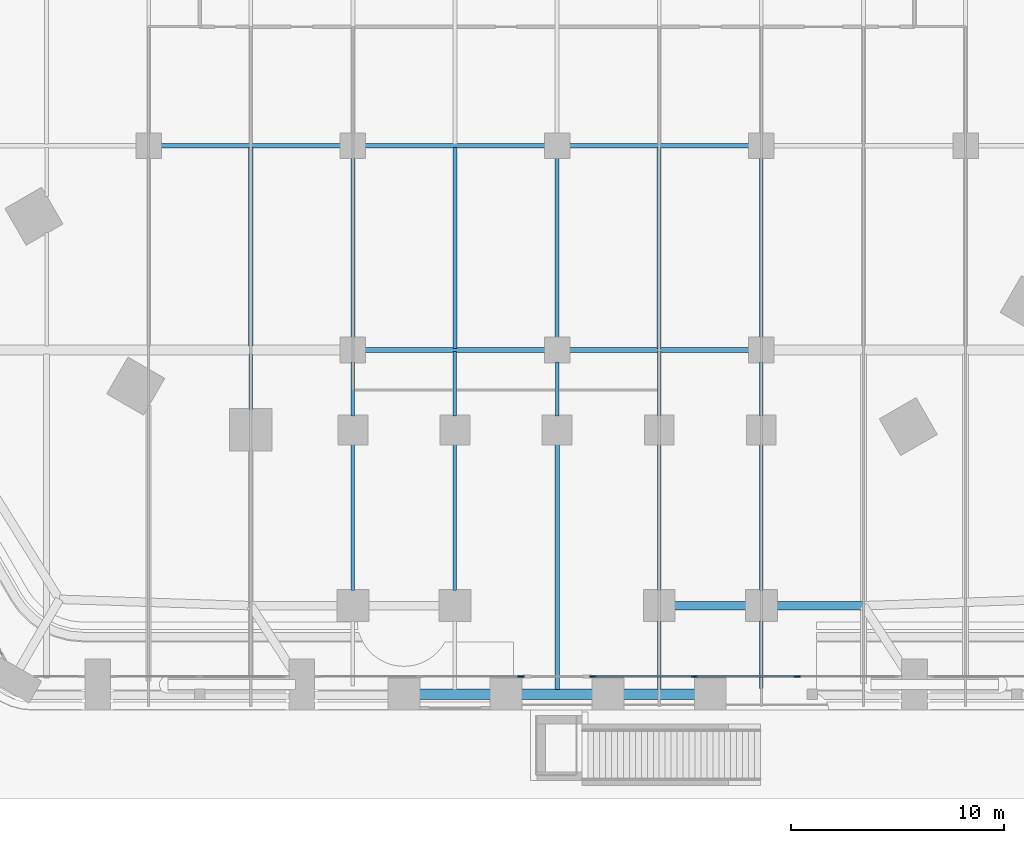
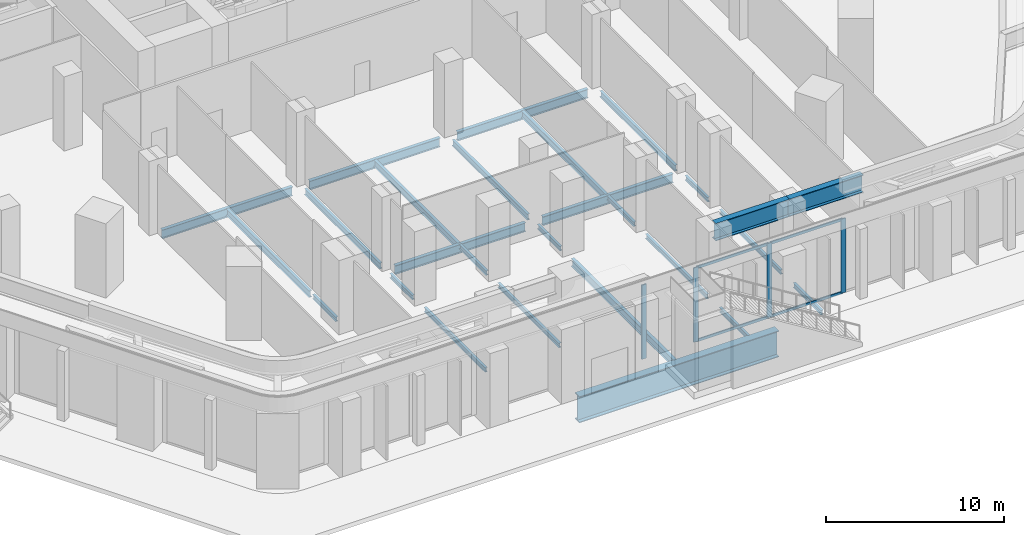
# One storey, part 3 of 34: 27 beams, 8 members, 2 elements without a shape of their own.
"""IFC4 building model written with IfcOpenShell, lengths in metres."""

from ifc_helpers import new_model, si_unit, direction, frame, origin, origin_2d, place, context, subcontext, project, spatial, rectangle, i_section, extrude, material, material_profile, profile_set, type_object, element, aggregate, save


model = new_model("IFC4")

# Units and contexts
model_context = context("Model", 3, precision=1e-05, world=origin(), true_north=direction((0.0, 1.0)))
body_context = subcontext(model_context, "Body", "Model", "MODEL_VIEW")
ifc_project = project(units=[si_unit("LENGTHUNIT", "METRE"), si_unit("AREAUNIT", "SQUARE_METRE"), si_unit("VOLUMEUNIT", "CUBIC_METRE"), si_unit("PLANEANGLEUNIT", "RADIAN"), si_unit("MASSUNIT", "GRAM", prefix="KILO")], contexts=[model_context])

# Site, building, storey
site_placement = place(None, origin())
site = spatial("IfcSite", under=ifc_project, at=site_placement, CompositionType="ELEMENT")
building_placement = place(site_placement, origin())
building = spatial("IfcBuilding", under=site, at=building_placement, Name="Kolab Exchange Tower", CompositionType="ELEMENT")
storey_placement = place(building_placement, frame((0.0, 0.0, 7.0)))
storey = spatial("IfcBuildingStorey", under=building, at=storey_placement, Name="L01", CompositionType="ELEMENT", Elevation=7.0)

# Beams
ifc_material_1 = material(Name="Steel S355", Category="steel")
ifc_material_profile_1 = material_profile(ifc_material_1, i_section(OverallWidth=0.1650390625, OverallDepth=0.31005859375, WebThickness=0.005859375, FlangeThickness=0.009765625, at=origin_2d()), Name="W310X39")
ifc_profile_set_1 = profile_set([ifc_material_profile_1], Name="Steel S355")
beam_type_1 = type_object("IfcBeamType", Name="FLOOR BEAM W310X39", PredefinedType="BEAM", material=ifc_profile_set_1)
beam_1_placement = place(storey_placement, frame((-14.39990234375, -31.595458984375, -0.455078125), z_axis=(0.0, 1.0, 0.0), x_axis=(-1.0, 0.0, 0.0)))
element("IfcBeam", 1, at=beam_1_placement, inside=storey, type_object=beam_type_1, Name="beam/L01/fr/048", PredefinedType="BEAM", context=body_context, shape_type="SweptSolid", body=[
    extrude(i_section(OverallWidth=0.1650390625, OverallDepth=0.31005859375, WebThickness=0.005859375, FlangeThickness=0.009765625, at=origin_2d()), origin(), (0.0, 0.0, 1.0), 2.6103515625),
])
beam_2_placement = place(storey_placement, frame((-9.60009765625, -40.109130859375, -0.455078125), z_axis=(0.0, 1.0, 0.0), x_axis=(-1.0, 0.0, 0.0)))
element("IfcBeam", 2, at=beam_2_placement, inside=storey, type_object=beam_type_1, Name="beam/L01/fr/055", PredefinedType="BEAM", context=body_context, shape_type="SweptSolid", body=[
    extrude(i_section(OverallWidth=0.1650390625, OverallDepth=0.31005859375, WebThickness=0.005859375, FlangeThickness=0.009765625, at=origin_2d()), origin(), (0.0, 0.0, 1.0), 6.893798828125),
])
beam_3_placement = place(storey_placement, frame((-9.60009765625, -31.8955078125, -0.455078125), z_axis=(0.0, 1.0, 0.0), x_axis=(-1.0, 0.0, 0.0)))
element("IfcBeam", 3, at=beam_3_placement, inside=storey, type_object=beam_type_1, Name="beam/L01/fr/056", PredefinedType="BEAM", context=body_context, shape_type="SweptSolid", body=[
    extrude(i_section(OverallWidth=0.1650390625, OverallDepth=0.31005859375, WebThickness=0.005859375, FlangeThickness=0.009765625, at=origin_2d()), origin(), (0.0, 0.0, 1.0), 2.535400390625),
])
beam_4_placement = place(storey_placement, frame((-4.800048828125, -40.109130859375, -0.455078125), z_axis=(0.0, 1.0, 0.0), x_axis=(-1.0, 0.0, 0.0)))
element("IfcBeam", 4, at=beam_4_placement, inside=storey, type_object=beam_type_1, Name="beam/L01/fr/063", PredefinedType="BEAM", context=body_context, shape_type="SweptSolid", body=[
    extrude(i_section(OverallWidth=0.1650390625, OverallDepth=0.31005859375, WebThickness=0.005859375, FlangeThickness=0.009765625, at=origin_2d()), origin(), (0.0, 0.0, 1.0), 6.893798828125),
])
beam_5_placement = place(storey_placement, frame((-4.800048828125, -31.8955078125, -0.455078125), z_axis=(0.0, 1.0, 0.0), x_axis=(-1.0, 0.0, 0.0)))
element("IfcBeam", 5, at=beam_5_placement, inside=storey, type_object=beam_type_1, Name="beam/L01/fr/064", PredefinedType="BEAM", context=body_context, shape_type="SweptSolid", body=[
    extrude(i_section(OverallWidth=0.1650390625, OverallDepth=0.31005859375, WebThickness=0.005859375, FlangeThickness=0.009765625, at=origin_2d()), origin(), (0.0, 0.0, 1.0), 3.021484375),
])
beam_6_placement = place(storey_placement, frame((0.0, -31.8955078125, -0.455078125), z_axis=(0.0, 1.0, 0.0), x_axis=(-1.0, 0.0, 0.0)))
element("IfcBeam", 6, at=beam_6_placement, inside=storey, type_object=beam_type_1, Name="beam/L01/fr/071", PredefinedType="BEAM", context=body_context, shape_type="SweptSolid", body=[
    extrude(i_section(OverallWidth=0.1650390625, OverallDepth=0.31005859375, WebThickness=0.005859375, FlangeThickness=0.009765625, at=origin_2d()), origin(), (0.0, 0.0, 1.0), 2.535400390625),
])
beam_7_placement = place(storey_placement, frame((4.800048828125, -44.76611328125, -0.455078125), z_axis=(0.0, 1.0, 0.0), x_axis=(-1.0, 0.0, 0.0)))
element("IfcBeam", 7, at=beam_7_placement, inside=storey, type_object=beam_type_1, Name="beam/L01/fr/077", PredefinedType="BEAM", context=body_context, shape_type="SweptSolid", body=[
    extrude(i_section(OverallWidth=0.1650390625, OverallDepth=0.31005859375, WebThickness=0.005859375, FlangeThickness=0.009765625, at=origin_2d()), origin(), (0.0, 0.0, 1.0), 3.23681640625),
])
beam_8_placement = place(storey_placement, frame((4.800048828125, -40.109130859375, -0.455078125), z_axis=(0.0, 1.0, 0.0), x_axis=(-1.0, 0.0, 0.0)))
element("IfcBeam", 8, at=beam_8_placement, inside=storey, type_object=beam_type_1, Name="beam/L01/fr/078", PredefinedType="BEAM", context=body_context, shape_type="SweptSolid", body=[
    extrude(i_section(OverallWidth=0.1650390625, OverallDepth=0.31005859375, WebThickness=0.005859375, FlangeThickness=0.009765625, at=origin_2d()), origin(), (0.0, 0.0, 1.0), 6.893798828125),
])
beam_9_placement = place(storey_placement, frame((4.800048828125, -31.8955078125, -0.455078125), z_axis=(0.0, 1.0, 0.0), x_axis=(-1.0, 0.0, 0.0)))
element("IfcBeam", 9, at=beam_9_placement, inside=storey, type_object=beam_type_1, Name="beam/L01/fr/079", PredefinedType="BEAM", context=body_context, shape_type="SweptSolid", body=[
    extrude(i_section(OverallWidth=0.1650390625, OverallDepth=0.31005859375, WebThickness=0.005859375, FlangeThickness=0.009765625, at=origin_2d()), origin(), (0.0, 0.0, 1.0), 3.021484375),
])
beam_10_placement = place(storey_placement, frame((9.60009765625, -44.703369140625, -0.455078125), z_axis=(0.0, 1.0, 0.0), x_axis=(-1.0, 0.0, 0.0)))
element("IfcBeam", 10, at=beam_10_placement, inside=storey, type_object=beam_type_1, Name="beam/L01/fr/085", PredefinedType="BEAM", context=body_context, shape_type="SweptSolid", body=[
    extrude(i_section(OverallWidth=0.1650390625, OverallDepth=0.31005859375, WebThickness=0.005859375, FlangeThickness=0.009765625, at=origin_2d()), origin(), (0.0, 0.0, 1.0), 3.174072265625),
])
beam_11_placement = place(storey_placement, frame((9.60009765625, -40.109130859375, -0.455078125), z_axis=(0.0, 1.0, 0.0), x_axis=(-1.0, 0.0, 0.0)))
element("IfcBeam", 11, at=beam_11_placement, inside=storey, type_object=beam_type_1, Name="beam/L01/fr/086", PredefinedType="BEAM", context=body_context, shape_type="SweptSolid", body=[
    extrude(i_section(OverallWidth=0.1650390625, OverallDepth=0.31005859375, WebThickness=0.005859375, FlangeThickness=0.009765625, at=origin_2d()), origin(), (0.0, 0.0, 1.0), 6.893798828125),
])
beam_12_placement = place(storey_placement, frame((9.60009765625, -31.8955078125, -0.455078125), z_axis=(0.0, 1.0, 0.0), x_axis=(-1.0, 0.0, 0.0)))
element("IfcBeam", 12, at=beam_12_placement, inside=storey, type_object=beam_type_1, Name="beam/L01/fr/087", PredefinedType="BEAM", context=body_context, shape_type="SweptSolid", body=[
    extrude(i_section(OverallWidth=0.1650390625, OverallDepth=0.31005859375, WebThickness=0.005859375, FlangeThickness=0.009765625, at=origin_2d()), origin(), (0.0, 0.0, 1.0), 2.535400390625),
])
ifc_material_profile_2 = material_profile(ifc_material_1, i_section(OverallWidth=0.177978515625, OverallDepth=0.406982421875, WebThickness=0.0078125, FlangeThickness=0.0126953125, at=origin_2d()), Name="W410X60")
ifc_profile_set_2 = profile_set([ifc_material_profile_2], Name="Steel S355")
beam_type_2 = type_object("IfcBeamType", Name="FLOOR BEAM W410X60", PredefinedType="BEAM", material=ifc_profile_set_2)
for number, where, z_axis, x_axis, name in (
    (13, (-9.60009765625, -28.239990234375, -0.50341796875), (0.0, 1.0, 0.0), (-1.0, 0.0, 0.0), "beam/L01/fr/057"),
    (14, (0.0, -28.239990234375, -0.50341796875), (0.0, 1.0, 0.0), (-1.0, 0.0, 0.0), "beam/L01/fr/072"),
    (15, (9.60009765625, -28.239990234375, -0.50341796875), (0.0, 1.0, 0.0), (-1.0, 0.0, 0.0), "beam/L01/fr/088"),
):
    element("IfcBeam", number, at=place(storey_placement, frame(where, z_axis=z_axis, x_axis=x_axis)), inside=storey, type_object=beam_type_2, Name=name, PredefinedType="BEAM", context=body_context, shape_type="SweptSolid", body=[
        extrude(i_section(OverallWidth=0.177978515625, OverallDepth=0.406982421875, WebThickness=0.0078125, FlangeThickness=0.0126953125, at=origin_2d()), origin(), (0.0, 0.0, 1.0), 8.47998046875),
    ])
ifc_material_profile_3 = material_profile(ifc_material_1, i_section(OverallWidth=0.18994140625, OverallDepth=0.45703125, WebThickness=0.009033203125, FlangeThickness=0.014404296875, at=origin_2d()), Name="W460X74")
ifc_profile_set_3 = profile_set([ifc_material_profile_3], Name="Steel S355")
beam_type_3 = type_object("IfcBeamType", Name="FLOOR BEAM W460X74", PredefinedType="BEAM", material=ifc_profile_set_3)
beam_13_placement = place(storey_placement, frame((-14.39990234375, -28.614990234375, -0.528564453125), z_axis=(0.0, 1.0, 0.0), x_axis=(-1.0, 0.0, 0.0)))
element("IfcBeam", 16, at=beam_13_placement, inside=storey, type_object=beam_type_3, Name="beam/L01/fr/049", PredefinedType="BEAM", context=body_context, shape_type="SweptSolid", body=[
    extrude(i_section(OverallWidth=0.18994140625, OverallDepth=0.45703125, WebThickness=0.009033203125, FlangeThickness=0.014404296875, at=origin_2d()), origin(), (0.0, 0.0, 1.0), 9.341064453125),
])
for number, where, z_axis, x_axis, name in (
    (17, (-4.800048828125, -28.72607421875, -0.528564453125), (0.0, 1.0, 0.0), (-1.0, 0.0, 0.0), "beam/L01/fr/065"),
    (18, (4.800048828125, -28.72607421875, -0.528564453125), (0.0, 1.0, 0.0), (-1.0, 0.0, 0.0), "beam/L01/fr/080"),
):
    element("IfcBeam", number, at=place(storey_placement, frame(where, z_axis=z_axis, x_axis=x_axis)), inside=storey, type_object=beam_type_3, Name=name, PredefinedType="BEAM", context=body_context, shape_type="SweptSolid", body=[
        extrude(i_section(OverallWidth=0.18994140625, OverallDepth=0.45703125, WebThickness=0.009033203125, FlangeThickness=0.014404296875, at=origin_2d()), origin(), (0.0, 0.0, 1.0), 9.4521484375),
    ])
ifc_material_profile_4 = material_profile(ifc_material_1, i_section(OverallWidth=0.208984375, OverallDepth=0.532958984375, WebThickness=0.01025390625, FlangeThickness=0.015625, at=origin_2d()), Name="W530X92")
ifc_profile_set_4 = profile_set([ifc_material_profile_4], Name="Steel S355")
beam_type_4 = type_object("IfcBeamType", Name="FLOOR BEAM W530X92", PredefinedType="BEAM", material=ifc_profile_set_4)
beam_14_placement = place(storey_placement, frame((0.0, -44.76611328125, -0.56640625), z_axis=(0.0, 1.0, 0.0), x_axis=(-1.0, 0.0, 0.0)))
element("IfcBeam", 19, at=beam_14_placement, inside=storey, type_object=beam_type_4, Name="beam/L01/fr/070", PredefinedType="BEAM", context=body_context, shape_type="SweptSolid", body=[
    extrude(i_section(OverallWidth=0.208984375, OverallDepth=0.532958984375, WebThickness=0.01025390625, FlangeThickness=0.015625, at=origin_2d()), origin(), (0.0, 0.0, 1.0), 11.55078125),
])
ifc_material_profile_5 = material_profile(ifc_material_1, i_section(OverallWidth=0.22802734375, OverallDepth=0.60791015625, WebThickness=0.01123046875, FlangeThickness=0.017333984375, at=origin_2d()), Name="W610X113")
ifc_profile_set_5 = profile_set([ifc_material_profile_5], Name="Steel S355")
beam_type_5 = type_object("IfcBeamType", Name="FLOOR GIRDER W610X113", PredefinedType="BEAM", material=ifc_profile_set_5)
for number, where, z_axis, x_axis, name in (
    (20, (-18.639892578125, -19.199951171875, -0.60400390625), (1.0, 0.0, 0.0), (0.0, 1.0, 0.0), "beam/L01/gd/014"),
    (21, (-9.0400390625, -28.800048828125, -0.60400390625), (1.0, 0.0, 0.0), (0.0, 1.0, 0.0), "beam/L01/gd/019"),
    (22, (-9.0400390625, -19.199951171875, -0.60400390625), (1.0, 0.0, 0.0), (0.0, 1.0, 0.0), "beam/L01/gd/020"),
    (23, (0.56005859375, -28.800048828125, -0.60400390625), (1.0, 0.0, 0.0), (0.0, 1.0, 0.0), "beam/L01/gd/023"),
    (24, (0.56005859375, -19.199951171875, -0.60400390625), (1.0, 0.0, 0.0), (0.0, 1.0, 0.0), "beam/L01/gd/024"),
):
    element("IfcBeam", number, at=place(storey_placement, frame(where, z_axis=z_axis, x_axis=x_axis)), inside=storey, type_object=beam_type_5, Name=name, PredefinedType="BEAM", context=body_context, shape_type="SweptSolid", body=[
        extrude(i_section(OverallWidth=0.22802734375, OverallDepth=0.60791015625, WebThickness=0.01123046875, FlangeThickness=0.017333984375, at=origin_2d()), origin(), (0.0, 0.0, 1.0), 8.47998046875),
    ])

# Curtain wall, members
ifc_material_2 = material(Name="Aluminium EN AW-6063 T6", Category="aluminium")
curtain_wall_type = type_object("IfcCurtainWallType", Name="PODIUM STRUCTURAL GLAZING CURTAIN WALL", PredefinedType="NOTDEFINED", material=ifc_material_2)
curtain_wall_1_placement = place(storey_placement, origin())
curtain_wall_1 = element("IfcCurtainWall", 25, at=curtain_wall_1_placement, inside=storey, type_object=curtain_wall_type, Name="cw/L01/F4-2", PredefinedType="NOTDEFINED")
ifc_material_profile_6 = material_profile(ifc_material_2, rectangle(XDim=0.080078125, YDim=0.300048828125, at=origin_2d()), Name="RECT 80X300")
ifc_profile_set_6 = profile_set([ifc_material_profile_6], Name="Aluminium EN AW-6063 T6")
member_type_1 = type_object("IfcMemberType", Name="PODIUM STRUCTURAL GLAZING MULLION 80 X 300", PredefinedType="MULLION", material=ifc_profile_set_6)
member_1_placement = place(storey_placement, frame((11.27587890625, -44.146240234375, 0.0), z_axis=(0.0, 0.0, 1.0), x_axis=(0.0, -1.0, 0.0)))
member_1 = element("IfcMember", 26, at=member_1_placement, type_object=member_type_1, Name="CW5 mullion 2", PredefinedType="MULLION", context=body_context, shape_type="SweptSolid", body=[
    extrude(rectangle(XDim=0.080078125, YDim=0.300048828125, at=origin_2d()), origin(), (0.0, 0.0, 1.0), 5.10009765625),
])
member_2_placement = place(storey_placement, frame((6.4619140625, -44.146240234375, 0.0), z_axis=(0.0, 0.0, 1.0), x_axis=(0.0, -1.0, 0.0)))
member_2 = element("IfcMember", 27, at=member_2_placement, type_object=member_type_1, Name="CW5 mullion 3", PredefinedType="MULLION", context=body_context, shape_type="SweptSolid", body=[
    extrude(rectangle(XDim=0.080078125, YDim=0.300048828125, at=origin_2d()), origin(), (0.0, 0.0, 1.0), 5.10009765625),
])
member_3_placement = place(storey_placement, frame((1.68798828125, -44.146240234375, 0.0), z_axis=(0.0, 0.0, 1.0), x_axis=(0.0, -1.0, 0.0)))
member_3 = element("IfcMember", 28, at=member_3_placement, type_object=member_type_1, Name="CW5 mullion 4", PredefinedType="MULLION", context=body_context, shape_type="SweptSolid", body=[
    extrude(rectangle(XDim=0.080078125, YDim=0.300048828125, at=origin_2d()), origin(), (0.0, 0.0, 1.0), 5.10009765625),
])

# Curtain wall, member
curtain_wall_2_placement = place(storey_placement, origin())
curtain_wall_2 = element("IfcCurtainWall", 29, at=curtain_wall_2_placement, inside=storey, type_object=curtain_wall_type, Name="cw/L01/F4-3", PredefinedType="NOTDEFINED")
member_4_placement = place(storey_placement, frame((-1.68798828125, -44.146240234375, 0.0), z_axis=(0.0, 0.0, 1.0), x_axis=(0.0, -1.0, 0.0)))
member_4 = element("IfcMember", 30, at=member_4_placement, type_object=member_type_1, Name="CW5 mullion 1", PredefinedType="MULLION", context=body_context, shape_type="SweptSolid", body=[
    extrude(rectangle(XDim=0.080078125, YDim=0.300048828125, at=origin_2d()), origin(), (0.0, 0.0, 1.0), 5.10009765625),
])
aggregate(curtain_wall_2, [member_4])

# Member
ifc_material_profile_7 = material_profile(ifc_material_2, rectangle(XDim=0.080078125, YDim=0.179931640625, at=origin_2d()), Name="RECT 80X180")
ifc_profile_set_7 = profile_set([ifc_material_profile_7], Name="Aluminium EN AW-6063 T6")
member_type_2 = type_object("IfcMemberType", Name="PODIUM STRUCTURAL GLAZING TRANSOM 80 X 180", PredefinedType="USERDEFINED", material=ifc_profile_set_7)
member_5_placement = place(storey_placement, frame((11.236083984375, -44.146240234375, 0.0400390625), z_axis=(-1.0, 0.0, 0.0), x_axis=(0.0, -1.0, 0.0)))
member_5 = element("IfcMember", 31, at=member_5_placement, type_object=member_type_2, Name="CW5 transom 2.1", ObjectType="TRANSOM", PredefinedType="USERDEFINED", context=body_context, shape_type="SweptSolid", body=[
    extrude(rectangle(XDim=0.080078125, YDim=0.179931640625, at=origin_2d()), origin(), (0.0, 0.0, 1.0), 4.734130859375),
])

member_6_placement = place(storey_placement, frame((11.236083984375, -44.146240234375, 5.06005859375), z_axis=(-1.0, 0.0, 0.0), x_axis=(0.0, -1.0, 0.0)))
member_6 = element("IfcMember", 32, at=member_6_placement, type_object=member_type_2, Name="CW5 transom 2.2", ObjectType="TRANSOM", PredefinedType="USERDEFINED", context=body_context, shape_type="SweptSolid", body=[
    extrude(rectangle(XDim=0.080078125, YDim=0.179931640625, at=origin_2d()), origin(), (0.0, 0.0, 1.0), 4.734130859375),
])

member_7_placement = place(storey_placement, frame((6.422119140625, -44.146240234375, 0.0400390625), z_axis=(-1.0, 0.0, 0.0), x_axis=(0.0, -1.0, 0.0)))
member_7 = element("IfcMember", 33, at=member_7_placement, type_object=member_type_2, Name="CW5 transom 3.1", ObjectType="TRANSOM", PredefinedType="USERDEFINED", context=body_context, shape_type="SweptSolid", body=[
    extrude(rectangle(XDim=0.080078125, YDim=0.179931640625, at=origin_2d()), origin(), (0.0, 0.0, 1.0), 4.694091796875),
])

member_8_placement = place(storey_placement, frame((6.422119140625, -44.146240234375, 5.06005859375), z_axis=(-1.0, 0.0, 0.0), x_axis=(0.0, -1.0, 0.0)))
member_8 = element("IfcMember", 34, at=member_8_placement, type_object=member_type_2, Name="CW5 transom 3.2", ObjectType="TRANSOM", PredefinedType="USERDEFINED", context=body_context, shape_type="SweptSolid", body=[
    extrude(rectangle(XDim=0.080078125, YDim=0.179931640625, at=origin_2d()), origin(), (0.0, 0.0, 1.0), 4.694091796875),
])

aggregate(curtain_wall_1, [member_1, member_2, member_3, member_5, member_6, member_7, member_8])

# Beams
ifc_material_profile_8 = material_profile(ifc_material_1, i_section(OverallWidth=0.39990234375, OverallDepth=1.199951171875, WebThickness=0.02490234375, FlangeThickness=0.0400390625, at=origin_2d()), Name="PG1200X400")
ifc_profile_set_8 = profile_set([ifc_material_profile_8], Name="Steel S355")
beam_type_6 = type_object("IfcBeamType", Name="TRANSFER GIRDER PG1200X400", PredefinedType="BEAM", material=ifc_profile_set_8)
beam_15_placement = place(storey_placement, frame((14.39990234375, -40.819091796875, 4.5), z_axis=(-1.0, 0.0, 0.0), x_axis=(0.0, -1.0, 0.0)))
element("IfcBeam", 35, at=beam_15_placement, inside=storey, type_object=beam_type_6, Name="beam/L01/rg/P2-F4-03", PredefinedType="BEAM", context=body_context, shape_type="SweptSolid", body=[
    extrude(i_section(OverallWidth=0.39990234375, OverallDepth=1.199951171875, WebThickness=0.02490234375, FlangeThickness=0.0400390625, at=origin_2d()), origin(), (0.0, 0.0, 1.0), 4.7998046875),
])
beam_16_placement = place(storey_placement, frame((9.60009765625, -40.819091796875, 4.5), z_axis=(-1.0, 0.0, 0.0), x_axis=(0.0, -1.0, 0.0)))
element("IfcBeam", 36, at=beam_16_placement, inside=storey, type_object=beam_type_6, Name="beam/L01/rg/P2-F4-04", PredefinedType="BEAM", context=body_context, shape_type="SweptSolid", body=[
    extrude(i_section(OverallWidth=0.39990234375, OverallDepth=1.199951171875, WebThickness=0.02490234375, FlangeThickness=0.0400390625, at=origin_2d()), origin(), (0.0, 0.0, 1.0), 4.800048828125),
])
ifc_material_profile_9 = material_profile(ifc_material_1, i_section(OverallWidth=0.5, OverallDepth=1.800048828125, WebThickness=0.031982421875, FlangeThickness=0.050048828125, at=origin_2d()), Name="PG1800X500")
ifc_profile_set_9 = profile_set([ifc_material_profile_9], Name="Steel S355")
beam_type_7 = type_object("IfcBeamType", Name="TRANSFER GIRDER PG1800X500", PredefinedType="BEAM", material=ifc_profile_set_9)
beam_17_placement = place(storey_placement, frame((-6.489990234375, -44.97607421875, -1.199951171875), z_axis=(1.0, 0.0, 0.0), x_axis=(0.0, 1.0, 0.0)))
element("IfcBeam", 37, at=beam_17_placement, inside=storey, type_object=beam_type_7, Name="beam/L01/dock-P1", PredefinedType="BEAM", context=body_context, shape_type="SweptSolid", body=[
    extrude(i_section(OverallWidth=0.5, OverallDepth=1.800048828125, WebThickness=0.031982421875, FlangeThickness=0.050048828125, at=origin_2d()), origin(), (0.0, 0.0, 1.0), 12.97998046875),
])

save(model, "model.ifc")
